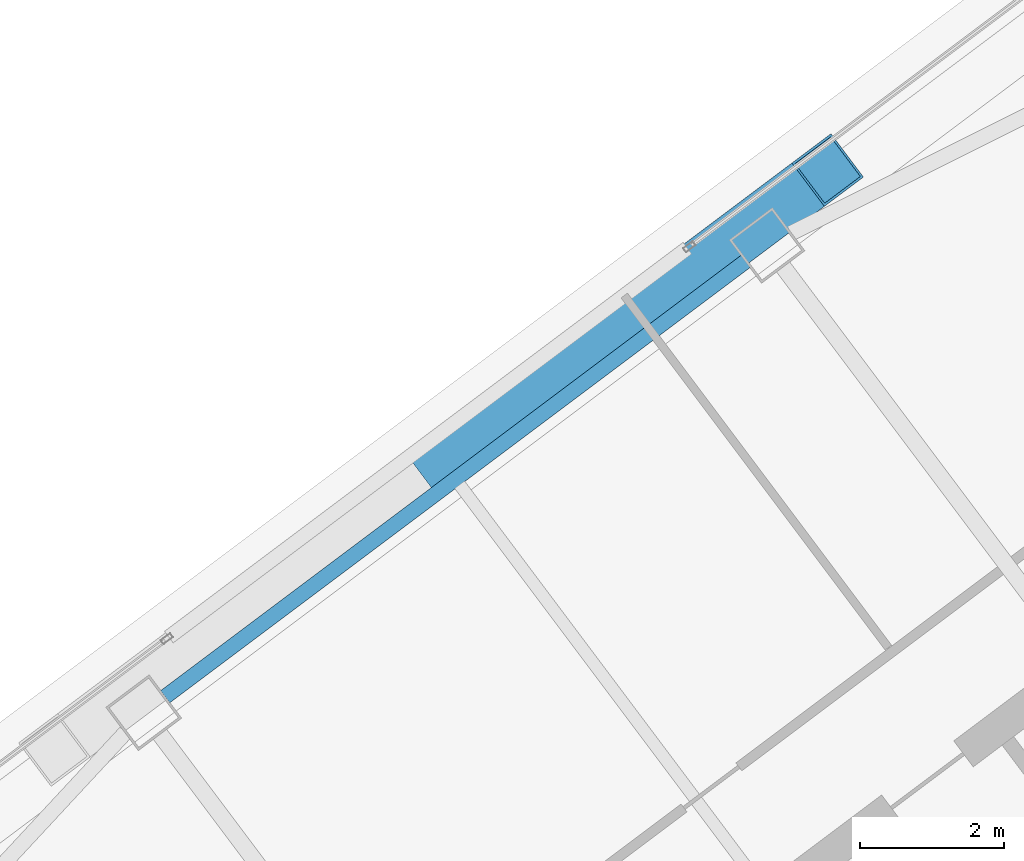
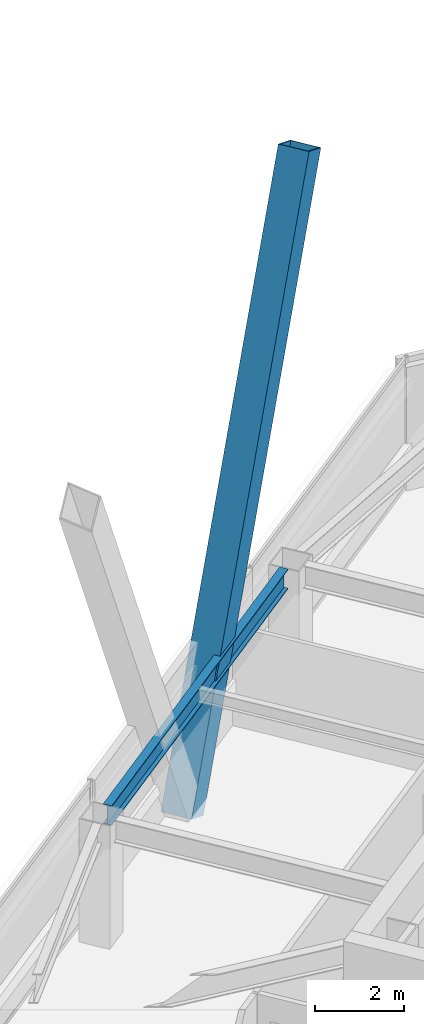
# One storey, part 31 of 47: 1 beam, 1 member.
"""IFC4 building model written with IfcOpenShell, lengths in metres."""

from ifc_helpers import new_model, si_unit, direction, frame, origin, origin_2d, place, context, subcontext, project, spatial, hollow_rectangle, i_section, extrude, material, material_profile, profile_set, type_object, element, save


model = new_model("IFC4")

# Units and contexts
model_context = context("Model", 3, precision=1e-05, world=origin(), true_north=direction((0.0, 1.0)))
body_context = subcontext(model_context, "Body", "Model", "MODEL_VIEW")
ifc_project = project(units=[si_unit("LENGTHUNIT", "METRE"), si_unit("AREAUNIT", "SQUARE_METRE"), si_unit("VOLUMEUNIT", "CUBIC_METRE"), si_unit("PLANEANGLEUNIT", "RADIAN"), si_unit("MASSUNIT", "GRAM", prefix="KILO")], contexts=[model_context])

# Site, building, storey
site_placement = place(None, origin())
site = spatial("IfcSite", under=ifc_project, at=site_placement, CompositionType="ELEMENT")
building_placement = place(site_placement, origin())
building = spatial("IfcBuilding", under=site, at=building_placement, Name="Tashvorn Skyway Center", CompositionType="ELEMENT")
storey_placement = place(building_placement, frame((0.0, 0.0, 204.199951171875)))
storey = spatial("IfcBuildingStorey", under=building, at=storey_placement, Name="L55", CompositionType="ELEMENT", Elevation=204.199951171875)

# Beam
ifc_material_1 = material(Name="Steel ASTM A992 Grade 50", Category="steel")
ifc_material_profile_1 = material_profile(ifc_material_1, i_section(OverallWidth=0.2109375, OverallDepth=0.5390625, WebThickness=0.01171875, FlangeThickness=0.018798828125, at=origin_2d()), Name="W21X73")
ifc_profile_set_1 = profile_set([ifc_material_profile_1], Name="Steel ASTM A992 Grade 50")
beam_type = type_object("IfcBeamType", Name="BM-SPANDREL-W21X73", PredefinedType="SPANDREL", material=ifc_profile_set_1)
beam_placement = place(storey_placement, frame((109.114013671875, 46.89794921875, 3.1005859375), z_axis=(-0.800008736549, -0.599988351091, 0.0), x_axis=(0.599988351091, -0.800008736549, 0.0)))
element("IfcBeam", 1, at=beam_placement, inside=storey, type_object=beam_type, Name="Tower 2 L55 Spandrel Beam 08", PredefinedType="SPANDREL", context=body_context, shape_type="SweptSolid", body=[
    extrude(i_section(OverallWidth=0.2109375, OverallDepth=0.5390625, WebThickness=0.01171875, FlangeThickness=0.018798828125, at=origin_2d()), origin(), (0.0, 0.0, 1.0), 10.06005859375),
])

# Member
ifc_material_2 = material(Name="Steel ASTM A572 Grade 50", Category="steel")
ifc_material_profile_2 = material_profile(ifc_material_2, hollow_rectangle(XDim=0.75, YDim=0.75, WallThickness=0.031982421875, at=origin_2d()), Name="BOX750x750x32")
ifc_profile_set_2 = profile_set([ifc_material_profile_2], Name="Steel ASTM A572 Grade 50")
member_type = type_object("IfcMemberType", Name="MEM-MB-750", PredefinedType="BRACE", material=ifc_profile_set_2)
member_placement = place(storey_placement, frame((104.89208984375, 44.14404296875, -0.199951171875), z_axis=(0.34634599886, 0.259767387138, 0.901424069821), x_axis=(-0.600011660554, 0.799991254452, 0.0)))
element("IfcMember", 2, at=member_placement, inside=storey, type_object=member_type, Name="Tower 2 Zone 5 N Chevron Mega-Brace L1", PredefinedType="BRACE", context=body_context, shape_type="SweptSolid", body=[
    extrude(hollow_rectangle(XDim=0.75, YDim=0.75, WallThickness=0.031982421875, at=origin_2d()), origin(), (0.0, 0.0, 1.0), 15.475341796875),
])

save(model, "model.ifc")
